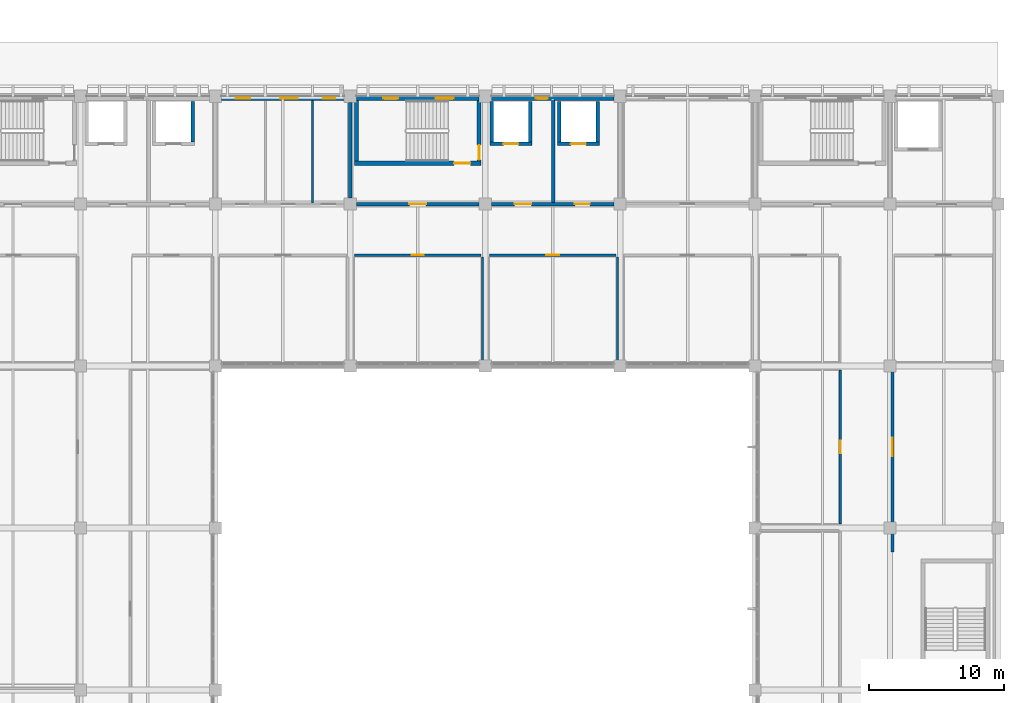
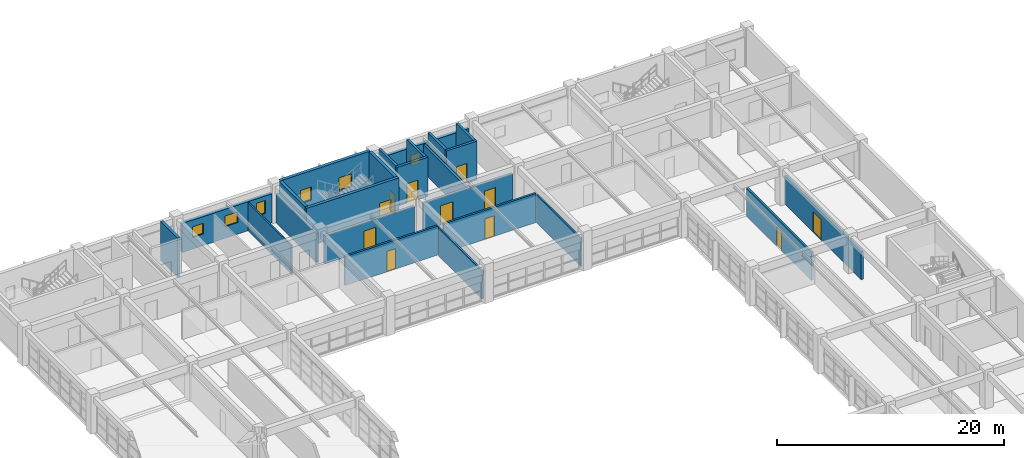
# One storey, part 83 of 100: 24 walls, 11 doors, 6 windows, 17 openings.
"""IFC4 building model written with IfcOpenShell, lengths in metres."""

from ifc_helpers import new_model, si_unit, direction, frame, frame_2d, origin, place, context, subcontext, project, spatial, rectangle, extrude, material, layer, layer_set, type_object, element, fill, save


model = new_model("IFC4")

# Units and contexts
model_context = context("Model", 3, precision=1e-05, world=origin(), true_north=direction((0.0, 1.0)))
body_context = subcontext(model_context, "Body", "Model", "MODEL_VIEW")
ifc_project = project(units=[si_unit("LENGTHUNIT", "METRE"), si_unit("AREAUNIT", "SQUARE_METRE"), si_unit("VOLUMEUNIT", "CUBIC_METRE"), si_unit("PLANEANGLEUNIT", "RADIAN"), si_unit("MASSUNIT", "GRAM", prefix="KILO")], contexts=[model_context])

# Site, building, storey
site_placement = place(None, origin())
site = spatial("IfcSite", under=ifc_project, at=site_placement, CompositionType="ELEMENT")
building_placement = place(site_placement, origin())
building = spatial("IfcBuilding", under=site, at=building_placement, Name="Kivolera Central Railway Station", CompositionType="ELEMENT")
storey_placement = place(building_placement, frame((0.0, 0.0, 5.39990234375)))
storey = spatial("IfcBuildingStorey", under=building, at=storey_placement, Name="L01", CompositionType="ELEMENT", Elevation=5.39990234375)

# Wall, opening, door
ifc_material_1 = material(Name="Concrete C40/50", Category="concrete")
ifc_layer_1 = layer(ifc_material_1, 0.22998046875, Name="Concrete C40/50")
ifc_layer_set_1 = layer_set([ifc_layer_1], Name="Concrete C40/50")
wall_type_1 = type_object("IfcWallType", Name="WL-COMP-230", PredefinedType="PARTITIONING", material=ifc_layer_set_1)
wall_1_placement = place(storey_placement, frame((188.179931640625, 100.199951171875, 0.0), z_axis=(0.0, 0.0, 1.0), x_axis=(0.0, 1.0, 0.0)))
wall_1 = element("IfcWall", 1, at=wall_1_placement, inside=storey, type_object=wall_type_1, Name="L01 Mezzanine Air Handling Plant Room Corridor Wall", PredefinedType="PARTITIONING", context=body_context, shape_type="SweptSolid", body=[
    extrude(rectangle(XDim=13.5, YDim=0.22998046875, at=frame_2d((6.75, 0.0))), origin(), (0.0, 0.0, 1.0), 3.01806640625),
])
opening_1_placement = place(wall_1_placement, frame((7.10009765625, 0.0, 0.0)))
opening_1 = element("IfcOpeningElement", 2, at=opening_1_placement, cuts=wall_1, Name="Opening D-PLT-1400", PredefinedType="OPENING", context=body_context, shape_type="SweptSolid", body=[
    extrude(rectangle(XDim=1.39990234375, YDim=2.199951171875, at=frame_2d((0.699951171875, 1.10009765625))), frame((0.0, 0.125, 0.0), z_axis=(0.0, -1.0, 0.0), x_axis=(1.0, 0.0, 0.0)), (0.0, 0.0, 1.0), 0.25),
])
ifc_material_2 = material(Name="Anodised aluminium", Category="aluminium")
door_type_1 = type_object("IfcDoorType", Name="DR-D-PLT-1400", OperationType="NOTDEFINED", PredefinedType="DOOR", material=ifc_material_2)
door_1_placement = place(opening_1_placement, origin())
door_1 = element("IfcDoor", 3, at=door_1_placement, inside=storey, type_object=door_type_1, Name="L01 Mezzanine Air Handling Plant Room Door", OperationType="SINGLE_SWING_RIGHT", OverallHeight=2.199951171875, OverallWidth=1.39990234375, PredefinedType="DOOR", context=body_context, shape_type="SweptSolid", body=[
    extrude(rectangle(XDim=1.39990234375, YDim=2.199951171875, at=frame_2d((0.699951171875, 1.10009765625))), frame((0.0, 0.02490234375, 0.0), z_axis=(0.0, -1.0, 0.0), x_axis=(1.0, 0.0, 0.0)), (0.0, 0.0, 1.0), 0.050048828125),
])
fill(opening_1, door_1)

ifc_material_3 = material(Name="Swahili coral limestone", Category="masonry")
ifc_layer_2 = layer(ifc_material_3, 0.199951171875, Name="Swahili coral limestone")
ifc_layer_set_2 = layer_set([ifc_layer_2], Name="Swahili coral limestone")
wall_type_2 = type_object("IfcWallType", Name="WL-COR-200", PredefinedType="PARTITIONING", material=ifc_layer_set_2)
wall_2_placement = place(storey_placement, frame((148.300048828125, 122.219970703125, 0.0), z_axis=(0.0, 0.0, 1.0), x_axis=(1.0, 0.0, 0.0)))
wall_2 = element("IfcWall", 4, at=wall_2_placement, inside=storey, type_object=wall_type_2, Name="L01 Commuter Banking Branch Office Corridor Wall", PredefinedType="PARTITIONING", context=body_context, shape_type="SweptSolid", body=[
    extrude(rectangle(XDim=9.39990234375, YDim=0.199951171875, at=frame_2d((4.699951171875, 0.0))), origin(), (0.0, 0.0, 1.0), 3.1181640625),
])
opening_2_placement = place(wall_2_placement, frame((4.25, 0.0, 0.0)))
opening_2 = element("IfcOpeningElement", 5, at=opening_2_placement, cuts=wall_2, Name="Opening D-SG-07", PredefinedType="OPENING", context=body_context, shape_type="SweptSolid", body=[
    extrude(rectangle(XDim=0.89990234375, YDim=2.199951171875, at=frame_2d((0.449951171875, 1.10009765625))), frame((0.0, 0.10986328125, 0.0), z_axis=(0.0, -1.0, 0.0), x_axis=(1.0, 0.0, 0.0)), (0.0, 0.0, 1.0), 0.219970703125),
])
ifc_material_4 = material(Name="Hardwood mvule timber", Category="wood")
door_type_2 = type_object("IfcDoorType", Name="DR-D-SG-07", OperationType="NOTDEFINED", PredefinedType="DOOR", material=ifc_material_4)
door_2_placement = place(opening_2_placement, origin())
door_2 = element("IfcDoor", 6, at=door_2_placement, inside=storey, type_object=door_type_2, Name="L01 Commuter Banking Branch Office Door", OperationType="SINGLE_SWING_RIGHT", OverallHeight=2.199951171875, OverallWidth=0.89990234375, PredefinedType="DOOR", context=body_context, shape_type="SweptSolid", body=[
    extrude(rectangle(XDim=0.89990234375, YDim=2.199951171875, at=frame_2d((0.449951171875, 1.10009765625))), frame((0.0, 0.02490234375, 0.0), z_axis=(0.0, -1.0, 0.0), x_axis=(1.0, 0.0, 0.0)), (0.0, 0.0, 1.0), 0.050048828125),
])
fill(opening_2, door_2)

wall_3_placement = place(storey_placement, frame((158.300048828125, 122.219970703125, 0.0), z_axis=(0.0, 0.0, 1.0), x_axis=(1.0, 0.0, 0.0)))
wall_3 = element("IfcWall", 7, at=wall_3_placement, inside=storey, type_object=wall_type_2, Name="L01 Express Courier Counter Shop Corridor Wall", PredefinedType="PARTITIONING", context=body_context, shape_type="SweptSolid", body=[
    extrude(rectangle(XDim=9.39990234375, YDim=0.199951171875, at=frame_2d((4.699951171875, 0.0))), origin(), (0.0, 0.0, 1.0), 3.1181640625),
])
opening_3_placement = place(wall_3_placement, frame((4.22509765625, 0.0, 0.0)))
opening_3 = element("IfcOpeningElement", 8, at=opening_3_placement, cuts=wall_3, Name="Opening D-SG-08", PredefinedType="OPENING", context=body_context, shape_type="SweptSolid", body=[
    extrude(rectangle(XDim=0.949951171875, YDim=2.199951171875, at=frame_2d((0.47509765625, 1.10009765625))), frame((0.0, 0.10986328125, 0.0), z_axis=(0.0, -1.0, 0.0), x_axis=(1.0, 0.0, 0.0)), (0.0, 0.0, 1.0), 0.219970703125),
])
door_type_3 = type_object("IfcDoorType", Name="DR-D-SG-08", OperationType="NOTDEFINED", PredefinedType="DOOR", material=ifc_material_4)
door_3_placement = place(opening_3_placement, origin())
door_3 = element("IfcDoor", 9, at=door_3_placement, inside=storey, type_object=door_type_3, Name="L01 Express Courier Counter Shop Door", OperationType="SINGLE_SWING_LEFT", OverallHeight=2.199951171875, OverallWidth=0.949951171875, PredefinedType="DOOR", context=body_context, shape_type="SweptSolid", body=[
    extrude(rectangle(XDim=0.949951171875, YDim=2.199951171875, at=frame_2d((0.47509765625, 1.10009765625))), frame((0.0, 0.02490234375, 0.0), z_axis=(0.0, -1.0, 0.0), x_axis=(1.0, 0.0, 0.0)), (0.0, 0.0, 1.0), 0.050048828125),
])
fill(opening_3, door_3)

wall_4_placement = place(storey_placement, frame((184.320068359375, 102.300048828125, 0.0), z_axis=(0.0, 0.0, 1.0), x_axis=(0.0, 1.0, 0.0)))
wall_4 = element("IfcWall", 10, at=wall_4_placement, inside=storey, type_object=wall_type_2, Name="L01 Station Hospitality Studio Corridor Wall", PredefinedType="PARTITIONING", context=body_context, shape_type="SweptSolid", body=[
    extrude(rectangle(XDim=11.39990234375, YDim=0.199951171875, at=frame_2d((5.699951171875, 0.0))), origin(), (0.0, 0.0, 1.0), 3.01806640625),
])
opening_4_placement = place(wall_4_placement, frame((5.25, 0.0, 0.0)))
opening_4 = element("IfcOpeningElement", 11, at=opening_4_placement, cuts=wall_4, Name="Opening D-SG-01", PredefinedType="OPENING", context=body_context, shape_type="SweptSolid", body=[
    extrude(rectangle(XDim=0.89990234375, YDim=2.10009765625, at=frame_2d((0.449951171875, 1.050048828125))), frame((0.0, 0.10986328125, 0.0), z_axis=(0.0, -1.0, 0.0), x_axis=(1.0, 0.0, 0.0)), (0.0, 0.0, 1.0), 0.219970703125),
])
door_type_4 = type_object("IfcDoorType", Name="DR-D-SG-01", OperationType="NOTDEFINED", PredefinedType="DOOR", material=ifc_material_4)
door_4_placement = place(opening_4_placement, origin())
door_4 = element("IfcDoor", 12, at=door_4_placement, inside=storey, type_object=door_type_4, Name="L01 Station Hospitality Studio Door", OperationType="SINGLE_SWING_LEFT", OverallHeight=2.10009765625, OverallWidth=0.89990234375, PredefinedType="DOOR", context=body_context, shape_type="SweptSolid", body=[
    extrude(rectangle(XDim=0.89990234375, YDim=2.10009765625, at=frame_2d((0.449951171875, 1.050048828125))), frame((0.0, 0.02490234375, 0.0), z_axis=(0.0, -1.0, 0.0), x_axis=(1.0, 0.0, 0.0)), (0.0, 0.0, 1.0), 0.050048828125),
])
fill(opening_4, door_4)

ifc_layer_3 = layer(ifc_material_1, 0.300048828125, Name="Concrete C40/50")
ifc_layer_set_3 = layer_set([ifc_layer_3], Name="Concrete C40/50")
wall_type_3 = type_object("IfcWallType", Name="WL-CORE-300", PredefinedType="SHEAR", material=ifc_layer_set_3)
wall_5_placement = place(storey_placement, frame((157.699951171875, 129.030029296875, 0.0), z_axis=(0.0, 0.0, 1.0), x_axis=(-1.0, 0.0, 0.0)))
wall_5 = element("IfcWall", 13, at=wall_5_placement, inside=storey, type_object=wall_type_3, Name="L01 ST2 Core Right Shear Wall", PredefinedType="SHEAR", context=body_context, shape_type="SweptSolid", body=[
    extrude(rectangle(XDim=9.39990234375, YDim=0.300048828125, at=frame_2d((4.699951171875, 0.0))), origin(), (0.0, 0.0, 1.0), 4.2001953125),
])
opening_5_placement = place(wall_5_placement, frame((0.800048828125, 0.0, 0.0)))
opening_5 = element("IfcOpeningElement", 14, at=opening_5_placement, cuts=wall_5, Name="Opening D-STAIR-1200", PredefinedType="OPENING", context=body_context, shape_type="SweptSolid", body=[
    extrude(rectangle(XDim=1.199951171875, YDim=2.14990234375, at=frame_2d((0.60009765625, 1.074951171875))), frame((0.0, 0.159912109375, 0.0), z_axis=(0.0, -1.0, 0.0), x_axis=(1.0, 0.0, 0.0)), (0.0, 0.0, 1.0), 0.320068359375),
])
door_type_5 = type_object("IfcDoorType", Name="DR-D-STAIR-1200", OperationType="NOTDEFINED", PredefinedType="DOOR", material=ifc_material_4)
door_5_placement = place(opening_5_placement, origin())
door_5 = element("IfcDoor", 15, at=door_5_placement, inside=storey, type_object=door_type_5, Name="L01 ST2 Vestibule Fire Door", OperationType="SINGLE_SWING_LEFT", OverallHeight=2.14990234375, OverallWidth=1.199951171875, PredefinedType="DOOR", context=body_context, shape_type="SweptSolid", body=[
    extrude(rectangle(XDim=1.199951171875, YDim=2.14990234375, at=frame_2d((0.60009765625, 1.074951171875))), frame((0.0, 0.02490234375, 0.0), z_axis=(0.0, -1.0, 0.0), x_axis=(1.0, 0.0, 0.0)), (0.0, 0.0, 1.0), 0.050048828125),
])
fill(opening_5, door_5)

wall_6_placement = place(storey_placement, frame((157.550048828125, 133.679931640625, 0.0), z_axis=(0.0, 0.0, 1.0), x_axis=(0.0, -1.0, 0.0)))
wall_6 = element("IfcWall", 16, at=wall_6_placement, inside=storey, type_object=wall_type_3, Name="L01 ST2 Core Near Shear Wall", PredefinedType="SHEAR", context=body_context, shape_type="SweptSolid", body=[
    extrude(rectangle(XDim=4.5, YDim=0.300048828125, at=frame_2d((2.25, 0.0))), origin(), (0.0, 0.0, 1.0), 4.2001953125),
])
opening_6_placement = place(wall_6_placement, frame((3.300048828125, 0.0, 0.0)))
opening_6 = element("IfcOpeningElement", 17, at=opening_6_placement, cuts=wall_6, Name="Opening D-FFL-1100", PredefinedType="OPENING", context=body_context, shape_type="SweptSolid", body=[
    extrude(rectangle(XDim=1.10009765625, YDim=2.14990234375, at=frame_2d((0.550048828125, 1.074951171875))), frame((0.0, 0.159912109375, 0.0), z_axis=(0.0, -1.0, 0.0), x_axis=(1.0, 0.0, 0.0)), (0.0, 0.0, 1.0), 0.320068359375),
])
door_type_6 = type_object("IfcDoorType", Name="DR-D-FFL-1100", OperationType="NOTDEFINED", PredefinedType="DOOR", material=ifc_material_4)
door_6_placement = place(opening_6_placement, origin())
door_6 = element("IfcDoor", 18, at=door_6_placement, inside=storey, type_object=door_type_6, Name="L01 Firefighting Lobby to ST2 Fire Door", OperationType="SINGLE_SWING_RIGHT", OverallHeight=2.14990234375, OverallWidth=1.10009765625, PredefinedType="DOOR", context=body_context, shape_type="SweptSolid", body=[
    extrude(rectangle(XDim=1.10009765625, YDim=2.14990234375, at=frame_2d((0.550048828125, 1.074951171875))), frame((0.0, 0.02490234375, 0.0), z_axis=(0.0, -1.0, 0.0), x_axis=(1.0, 0.0, 0.0)), (0.0, 0.0, 1.0), 0.050048828125),
])
fill(opening_6, door_6)

# Wall
wall_7_placement = place(storey_placement, frame((148.449951171875, 129.179931640625, 0.0), z_axis=(0.0, 0.0, 1.0), x_axis=(0.0, 1.0, 0.0)))
element("IfcWall", 19, at=wall_7_placement, inside=storey, type_object=wall_type_3, Name="L01 ST2 Core Far Shear Wall", PredefinedType="SHEAR", context=body_context, shape_type="SweptSolid", body=[
    extrude(rectangle(XDim=4.5, YDim=0.300048828125, at=frame_2d((2.25, 0.0))), origin(), (0.0, 0.0, 1.0), 4.2001953125),
])

# Wall, openings, windows
ifc_layer_4 = layer(ifc_material_1, 0.320068359375, Name="Concrete C40/50")
ifc_layer_set_4 = layer_set([ifc_layer_4], Name="Concrete C40/50")
wall_type_4 = type_object("IfcWallType", Name="WL-CORE-EXT-320", PredefinedType="SHEAR", material=ifc_layer_set_4)
wall_8_placement = place(storey_placement, frame((148.445068359375, 133.840087890625, 0.0), z_axis=(0.0, 0.0, 1.0), x_axis=(1.0, 0.0, 0.0)))
wall_8 = element("IfcWall", 20, at=wall_8_placement, inside=storey, type_object=wall_type_4, Name="L01 North Street Facade Wall Bay 4", PredefinedType="SHEAR", context=body_context, shape_type="SweptSolid", body=[
    extrude(rectangle(XDim=9.10986328125, YDim=0.320068359375, at=frame_2d((4.554931640625, 0.0))), origin(), (0.0, 0.0, 1.0), 4.2001953125),
])
opening_7_placement = place(wall_8_placement, frame((2.0048828125, 0.0, 1.050048828125)))
opening_7 = element("IfcOpeningElement", 21, at=opening_7_placement, cuts=wall_8, Name="Opening WN-14", PredefinedType="OPENING", context=body_context, shape_type="SweptSolid", body=[
    extrude(rectangle(XDim=1.10009765625, YDim=1.39990234375, at=frame_2d((0.550048828125, 0.699951171875))), frame((0.0, 0.169921875, 0.0), z_axis=(0.0, -1.0, 0.0), x_axis=(1.0, 0.0, 0.0)), (0.0, 0.0, 1.0), 0.340087890625),
])
opening_8_placement = place(wall_8_placement, frame((5.905029296875, 0.0, 1.050048828125)))
opening_8 = element("IfcOpeningElement", 22, at=opening_8_placement, cuts=wall_8, Name="Opening WN-15", PredefinedType="OPENING", context=body_context, shape_type="SweptSolid", body=[
    extrude(rectangle(XDim=1.300048828125, YDim=1.39990234375, at=frame_2d((0.64990234375, 0.699951171875))), frame((0.0, 0.169921875, 0.0), z_axis=(0.0, -1.0, 0.0), x_axis=(1.0, 0.0, 0.0)), (0.0, 0.0, 1.0), 0.340087890625),
])
ifc_material_5 = material(Name="Double low-E laminated glass", Category="glass")
window_type_1 = type_object("IfcWindowType", Name="WIN-WN-14", PartitioningType="SINGLE_PANEL", PredefinedType="WINDOW", material=ifc_material_5)
window_1_placement = place(opening_7_placement, origin())
window_1 = element("IfcWindow", 23, at=window_1_placement, inside=storey, type_object=window_type_1, Name="L01 North Street Window Bay 4.1", OverallHeight=1.39990234375, OverallWidth=1.10009765625, PartitioningType="SINGLE_PANEL", PredefinedType="WINDOW", context=body_context, shape_type="SweptSolid", body=[
    extrude(rectangle(XDim=1.10009765625, YDim=1.39990234375, at=frame_2d((0.550048828125, 0.699951171875))), frame((0.0, 0.030029296875, 0.0), z_axis=(0.0, -1.0, 0.0), x_axis=(1.0, 0.0, 0.0)), (0.0, 0.0, 1.0), 0.06005859375),
])
fill(opening_7, window_1)
window_type_2 = type_object("IfcWindowType", Name="WIN-WN-15", PartitioningType="SINGLE_PANEL", PredefinedType="WINDOW", material=ifc_material_5)
window_2_placement = place(opening_8_placement, origin())
window_2 = element("IfcWindow", 24, at=window_2_placement, inside=storey, type_object=window_type_2, Name="L01 North Street Window Bay 4.2", OverallHeight=1.39990234375, OverallWidth=1.300048828125, PartitioningType="SINGLE_PANEL", PredefinedType="WINDOW", context=body_context, shape_type="SweptSolid", body=[
    extrude(rectangle(XDim=1.300048828125, YDim=1.39990234375, at=frame_2d((0.64990234375, 0.699951171875))), frame((0.0, 0.030029296875, 0.0), z_axis=(0.0, -1.0, 0.0), x_axis=(1.0, 0.0, 0.0)), (0.0, 0.0, 1.0), 0.06005859375),
])
fill(opening_8, window_2)

ifc_layer_5 = layer(ifc_material_3, 0.320068359375, Name="Swahili coral limestone")
ifc_layer_set_5 = layer_set([ifc_layer_5], Name="Swahili coral limestone")
wall_type_5 = type_object("IfcWallType", Name="WL-EXT-CORAL-320", PredefinedType="SOLIDWALL", material=ifc_layer_set_5)
wall_9_placement = place(storey_placement, frame((138.445068359375, 133.840087890625, 0.0), z_axis=(0.0, 0.0, 1.0), x_axis=(1.0, 0.0, 0.0)))
wall_9 = element("IfcWall", 25, at=wall_9_placement, inside=storey, type_object=wall_type_5, Name="L01 North Street Facade Wall Bay 3", PredefinedType="SOLIDWALL", context=body_context, shape_type="SweptSolid", body=[
    extrude(rectangle(XDim=9.10986328125, YDim=0.320068359375, at=frame_2d((4.554931640625, 0.0))), origin(), (0.0, 0.0, 1.0), 3.1181640625),
])
opening_9_placement = place(wall_9_placement, frame((1.054931640625, 0.0, 1.25)))
opening_9 = element("IfcOpeningElement", 26, at=opening_9_placement, cuts=wall_9, Name="Opening WN-02", PredefinedType="OPENING", context=body_context, shape_type="SweptSolid", body=[
    extrude(rectangle(XDim=1.10009765625, YDim=1.14990234375, at=frame_2d((0.550048828125, 0.574951171875))), frame((0.0, 0.169921875, 0.0), z_axis=(0.0, -1.0, 0.0), x_axis=(1.0, 0.0, 0.0)), (0.0, 0.0, 1.0), 0.340087890625),
])
opening_10_placement = place(wall_9_placement, frame((4.35498046875, 0.0, 1.25)))
opening_10 = element("IfcOpeningElement", 27, at=opening_10_placement, cuts=wall_9, Name="Opening WN-03", PredefinedType="OPENING", context=body_context, shape_type="SweptSolid", body=[
    extrude(rectangle(XDim=1.300048828125, YDim=1.14990234375, at=frame_2d((0.64990234375, 0.574951171875))), frame((0.0, 0.169921875, 0.0), z_axis=(0.0, -1.0, 0.0), x_axis=(1.0, 0.0, 0.0)), (0.0, 0.0, 1.0), 0.340087890625),
])
opening_11_placement = place(wall_9_placement, frame((7.554931640625, 0.0, 1.25)))
opening_11 = element("IfcOpeningElement", 28, at=opening_11_placement, cuts=wall_9, Name="Opening WN-13", PredefinedType="OPENING", context=body_context, shape_type="SweptSolid", body=[
    extrude(rectangle(XDim=0.89990234375, YDim=1.39990234375, at=frame_2d((0.449951171875, 0.699951171875))), frame((0.0, 0.169921875, 0.0), z_axis=(0.0, -1.0, 0.0), x_axis=(1.0, 0.0, 0.0)), (0.0, 0.0, 1.0), 0.340087890625),
])
window_type_3 = type_object("IfcWindowType", Name="WIN-WN-02", PartitioningType="SINGLE_PANEL", PredefinedType="WINDOW", material=ifc_material_5)
window_3_placement = place(opening_9_placement, origin())
window_3 = element("IfcWindow", 29, at=window_3_placement, inside=storey, type_object=window_type_3, Name="L01 North Street Window Bay 3.1", OverallHeight=1.14990234375, OverallWidth=1.10009765625, PartitioningType="SINGLE_PANEL", PredefinedType="WINDOW", context=body_context, shape_type="SweptSolid", body=[
    extrude(rectangle(XDim=1.10009765625, YDim=1.14990234375, at=frame_2d((0.550048828125, 0.574951171875))), frame((0.0, 0.030029296875, 0.0), z_axis=(0.0, -1.0, 0.0), x_axis=(1.0, 0.0, 0.0)), (0.0, 0.0, 1.0), 0.06005859375),
])
fill(opening_9, window_3)
window_type_4 = type_object("IfcWindowType", Name="WIN-WN-03", PartitioningType="SINGLE_PANEL", PredefinedType="WINDOW", material=ifc_material_5)
window_4_placement = place(opening_10_placement, origin())
window_4 = element("IfcWindow", 30, at=window_4_placement, inside=storey, type_object=window_type_4, Name="L01 North Street Window Bay 3.2", OverallHeight=1.14990234375, OverallWidth=1.300048828125, PartitioningType="SINGLE_PANEL", PredefinedType="WINDOW", context=body_context, shape_type="SweptSolid", body=[
    extrude(rectangle(XDim=1.300048828125, YDim=1.14990234375, at=frame_2d((0.64990234375, 0.574951171875))), frame((0.0, 0.030029296875, 0.0), z_axis=(0.0, -1.0, 0.0), x_axis=(1.0, 0.0, 0.0)), (0.0, 0.0, 1.0), 0.06005859375),
])
fill(opening_10, window_4)
window_type_5 = type_object("IfcWindowType", Name="WIN-WN-13", PartitioningType="SINGLE_PANEL", PredefinedType="WINDOW", material=ifc_material_5)
window_5_placement = place(opening_11_placement, origin())
window_5 = element("IfcWindow", 31, at=window_5_placement, inside=storey, type_object=window_type_5, Name="L01 North Street Window Bay 3.3", OverallHeight=1.39990234375, OverallWidth=0.89990234375, PartitioningType="SINGLE_PANEL", PredefinedType="WINDOW", context=body_context, shape_type="SweptSolid", body=[
    extrude(rectangle(XDim=0.89990234375, YDim=1.39990234375, at=frame_2d((0.449951171875, 0.699951171875))), frame((0.0, 0.030029296875, 0.0), z_axis=(0.0, -1.0, 0.0), x_axis=(1.0, 0.0, 0.0)), (0.0, 0.0, 1.0), 0.06005859375),
])
fill(opening_11, window_5)

# Wall, opening, window
wall_10_placement = place(storey_placement, frame((158.445068359375, 133.840087890625, 0.0), z_axis=(0.0, 0.0, 1.0), x_axis=(1.0, 0.0, 0.0)))
wall_10 = element("IfcWall", 32, at=wall_10_placement, inside=storey, type_object=wall_type_5, Name="L01 North Street Facade Wall Bay 5", PredefinedType="SOLIDWALL", context=body_context, shape_type="SweptSolid", body=[
    extrude(rectangle(XDim=9.10986328125, YDim=0.320068359375, at=frame_2d((4.554931640625, 0.0))), origin(), (0.0, 0.0, 1.0), 3.1181640625),
])
opening_12_placement = place(wall_10_placement, frame((3.304931640625, 0.0, 1.050048828125)))
opening_12 = element("IfcOpeningElement", 33, at=opening_12_placement, cuts=wall_10, Name="Opening WN-01", PredefinedType="OPENING", context=body_context, shape_type="SweptSolid", body=[
    extrude(rectangle(XDim=0.89990234375, YDim=1.14990234375, at=frame_2d((0.449951171875, 0.574951171875))), frame((0.0, 0.169921875, 0.0), z_axis=(0.0, -1.0, 0.0), x_axis=(1.0, 0.0, 0.0)), (0.0, 0.0, 1.0), 0.340087890625),
])
window_type_6 = type_object("IfcWindowType", Name="WIN-WN-01", PartitioningType="SINGLE_PANEL", PredefinedType="WINDOW", material=ifc_material_5)
window_6_placement = place(opening_12_placement, origin())
window_6 = element("IfcWindow", 34, at=window_6_placement, inside=storey, type_object=window_type_6, Name="L01 North Street Window Bay 5.1", OverallHeight=1.14990234375, OverallWidth=0.89990234375, PartitioningType="SINGLE_PANEL", PredefinedType="WINDOW", context=body_context, shape_type="SweptSolid", body=[
    extrude(rectangle(XDim=0.89990234375, YDim=1.14990234375, at=frame_2d((0.449951171875, 0.574951171875))), frame((0.0, 0.030029296875, 0.0), z_axis=(0.0, -1.0, 0.0), x_axis=(1.0, 0.0, 0.0)), (0.0, 0.0, 1.0), 0.06005859375),
])
fill(opening_12, window_6)

# Wall, opening, door
ifc_layer_6 = layer(ifc_material_1, 0.25, Name="Concrete C40/50")
ifc_layer_set_6 = layer_set([ifc_layer_6], Name="Concrete C40/50")
wall_type_6 = type_object("IfcWallType", Name="WL-FFL-250", PredefinedType="PARTITIONING", material=ifc_layer_set_6)
wall_11_placement = place(storey_placement, frame((148.455078125, 126.0, 0.0), z_axis=(0.0, 0.0, 1.0), x_axis=(1.0, 0.0, 0.0)))
wall_11 = element("IfcWall", 35, at=wall_11_placement, inside=storey, type_object=wall_type_6, Name="L01 North Core Corridor Wall 148", PredefinedType="PARTITIONING", context=body_context, shape_type="SweptSolid", body=[
    extrude(rectangle(XDim=9.08984375, YDim=0.25, at=frame_2d((4.544921875, 0.0))), origin(), (0.0, 0.0, 1.0), 3.01806640625),
])
opening_13_placement = place(wall_11_placement, frame((3.919921875, 0.0, 0.0)))
opening_13 = element("IfcOpeningElement", 36, at=opening_13_placement, cuts=wall_11, Name="Opening D-FFL-1250", PredefinedType="OPENING", context=body_context, shape_type="SweptSolid", body=[
    extrude(rectangle(XDim=1.25, YDim=2.14990234375, at=frame_2d((0.625, 1.074951171875))), frame((0.0, 0.135009765625, 0.0), z_axis=(0.0, -1.0, 0.0), x_axis=(1.0, 0.0, 0.0)), (0.0, 0.0, 1.0), 0.27001953125),
])
door_type_7 = type_object("IfcDoorType", Name="DR-D-FFL-1250", OperationType="NOTDEFINED", PredefinedType="DOOR", material=ifc_material_4)
door_7_placement = place(opening_13_placement, origin())
door_7 = element("IfcDoor", 37, at=door_7_placement, inside=storey, type_object=door_type_7, Name="L01 ST2 Vestibule Corridor Door", OperationType="SINGLE_SWING_LEFT", OverallHeight=2.14990234375, OverallWidth=1.25, PredefinedType="DOOR", context=body_context, shape_type="SweptSolid", body=[
    extrude(rectangle(XDim=1.25, YDim=2.14990234375, at=frame_2d((0.625, 1.074951171875))), frame((0.0, 0.02490234375, 0.0), z_axis=(0.0, -1.0, 0.0), x_axis=(1.0, 0.0, 0.0)), (0.0, 0.0, 1.0), 0.050048828125),
])
fill(opening_13, door_7)

# Wall, openings, doors
wall_12_placement = place(storey_placement, frame((158.455078125, 126.0, 0.0), z_axis=(0.0, 0.0, 1.0), x_axis=(1.0, 0.0, 0.0)))
wall_12 = element("IfcWall", 38, at=wall_12_placement, inside=storey, type_object=wall_type_6, Name="L01 North Core Corridor Wall 158", PredefinedType="PARTITIONING", context=body_context, shape_type="SweptSolid", body=[
    extrude(rectangle(XDim=9.08984375, YDim=0.25, at=frame_2d((4.544921875, 0.0))), origin(), (0.0, 0.0, 1.0), 3.01806640625),
])
opening_14_placement = place(wall_12_placement, frame((1.719970703125, 0.0, 0.0)))
opening_14 = element("IfcOpeningElement", 39, at=opening_14_placement, cuts=wall_12, Name="Opening D-FFL-1250", PredefinedType="OPENING", context=body_context, shape_type="SweptSolid", body=[
    extrude(rectangle(XDim=1.25, YDim=2.14990234375, at=frame_2d((0.625, 1.074951171875))), frame((0.0, 0.135009765625, 0.0), z_axis=(0.0, -1.0, 0.0), x_axis=(1.0, 0.0, 0.0)), (0.0, 0.0, 1.0), 0.27001953125),
])
opening_15_placement = place(wall_12_placement, frame((6.195068359375, 0.0, 0.0)))
opening_15 = element("IfcOpeningElement", 40, at=opening_15_placement, cuts=wall_12, Name="Opening D-FFL-1100", PredefinedType="OPENING", context=body_context, shape_type="SweptSolid", body=[
    extrude(rectangle(XDim=1.10009765625, YDim=2.14990234375, at=frame_2d((0.550048828125, 1.074951171875))), frame((0.0, 0.135009765625, 0.0), z_axis=(0.0, -1.0, 0.0), x_axis=(1.0, 0.0, 0.0)), (0.0, 0.0, 1.0), 0.27001953125),
])
door_8_placement = place(opening_15_placement, origin())
door_8 = element("IfcDoor", 41, at=door_8_placement, inside=storey, type_object=door_type_6, Name="L01 PL2 Lift Lobby Door", OperationType="SINGLE_SWING_LEFT", OverallHeight=2.14990234375, OverallWidth=1.10009765625, PredefinedType="DOOR", context=body_context, shape_type="SweptSolid", body=[
    extrude(rectangle(XDim=1.10009765625, YDim=2.14990234375, at=frame_2d((0.550048828125, 1.074951171875))), frame((0.0, 0.02490234375, 0.0), z_axis=(0.0, -1.0, 0.0), x_axis=(1.0, 0.0, 0.0)), (0.0, 0.0, 1.0), 0.050048828125),
])
fill(opening_15, door_8)
door_9_placement = place(opening_14_placement, origin())
door_9 = element("IfcDoor", 42, at=door_9_placement, inside=storey, type_object=door_type_7, Name="L01 FL2 Firefighting Lobby Corridor Fire Door", OperationType="SINGLE_SWING_RIGHT", OverallHeight=2.14990234375, OverallWidth=1.25, PredefinedType="DOOR", context=body_context, shape_type="SweptSolid", body=[
    extrude(rectangle(XDim=1.25, YDim=2.14990234375, at=frame_2d((0.625, 1.074951171875))), frame((0.0, 0.02490234375, 0.0), z_axis=(0.0, -1.0, 0.0), x_axis=(1.0, 0.0, 0.0)), (0.0, 0.0, 1.0), 0.050048828125),
])
fill(opening_14, door_9)

# Walls
wall_13_placement = place(storey_placement, frame((163.050048828125, 126.125, 0.0), z_axis=(0.0, 0.0, 1.0), x_axis=(0.0, 1.0, 0.0)))
element("IfcWall", 43, at=wall_13_placement, inside=storey, type_object=wall_type_6, Name="L01 North Core Partition FFL2-DIV", PredefinedType="PARTITIONING", context=body_context, shape_type="SweptSolid", body=[
    extrude(rectangle(XDim=7.554931640625, YDim=0.25, at=frame_2d((3.77734375, 0.0))), origin(), (0.0, 0.0, 1.0), 3.01806640625),
])
wall_14_placement = place(storey_placement, frame((148.0, 126.455078125, 0.0), z_axis=(0.0, 0.0, 1.0), x_axis=(0.0, 1.0, 0.0)))
element("IfcWall", 44, at=wall_14_placement, inside=storey, type_object=wall_type_6, Name="L01 North Core Partition GRID-148", PredefinedType="PARTITIONING", context=body_context, shape_type="SweptSolid", body=[
    extrude(rectangle(XDim=7.08984375, YDim=0.25, at=frame_2d((3.544921875, 0.0))), origin(), (0.0, 0.0, 1.0), 3.1181640625),
])
ifc_material_6 = material(Name="Gypsum plasterboard steel-stud partition")
ifc_layer_7 = layer(ifc_material_6, 0.14990234375, Name="Gypsum plasterboard steel-stud partition")
ifc_layer_set_7 = layer_set([ifc_layer_7], Name="Gypsum plasterboard steel-stud partition")
wall_type_7 = type_object("IfcWallType", Name="WL-PRT-150", PredefinedType="PARTITIONING", material=ifc_layer_set_7)
wall_15_placement = place(storey_placement, frame((145.199951171875, 126.074951171875, 0.0), z_axis=(0.0, 0.0, 1.0), x_axis=(0.0, 1.0, 0.0)))
element("IfcWall", 45, at=wall_15_placement, inside=storey, type_object=wall_type_7, Name="L01 North Core Partition WC-DIV2", PredefinedType="PARTITIONING", context=body_context, shape_type="SweptSolid", body=[
    extrude(rectangle(XDim=7.60498046875, YDim=0.14990234375, at=frame_2d((3.802490234375, 0.0))), origin(), (0.0, 0.0, 1.0), 3.01806640625),
])
wall_16_placement = place(storey_placement, frame((167.800048828125, 114.300048828125, 0.0), z_axis=(0.0, 0.0, 1.0), x_axis=(0.0, 1.0, 0.0)))
element("IfcWall", 46, at=wall_16_placement, inside=storey, type_object=wall_type_7, Name="L01 Express Courier Counter Shop Partition Wall", PredefinedType="PARTITIONING", context=body_context, shape_type="SweptSolid", body=[
    extrude(rectangle(XDim=7.800048828125, YDim=0.14990234375, at=frame_2d((3.89990234375, 0.0))), origin(), (0.0, 0.0, 1.0), 3.01806640625),
])
ifc_layer_8 = layer(ifc_material_6, 0.1650390625, Name="Gypsum plasterboard steel-stud partition")
ifc_layer_set_8 = layer_set([ifc_layer_8], Name="Gypsum plasterboard steel-stud partition")
wall_type_8 = type_object("IfcWallType", Name="WL-PRT-165", PredefinedType="PARTITIONING", material=ifc_layer_set_8)
wall_17_placement = place(storey_placement, frame((157.800048828125, 114.300048828125, 0.0), z_axis=(0.0, 0.0, 1.0), x_axis=(0.0, 1.0, 0.0)))
element("IfcWall", 47, at=wall_17_placement, inside=storey, type_object=wall_type_8, Name="L01 Commuter Banking Branch Office Partition Wall", PredefinedType="PARTITIONING", context=body_context, shape_type="SweptSolid", body=[
    extrude(rectangle(XDim=7.800048828125, YDim=0.1650390625, at=frame_2d((3.89990234375, 0.0))), origin(), (0.0, 0.0, 1.0), 3.01806640625),
])

# Wall, opening, door
ifc_layer_9 = layer(ifc_material_1, 0.260009765625, Name="Concrete C40/50")
ifc_layer_set_9 = layer_set([ifc_layer_9], Name="Concrete C40/50")
wall_type_9 = type_object("IfcWallType", Name="WL-SHAFT-260", PredefinedType="SHEAR", material=ifc_layer_set_9)
wall_18_placement = place(storey_placement, frame((158.340087890625, 130.469970703125, 0.0), z_axis=(0.0, 0.0, 1.0), x_axis=(1.0, 0.0, 0.0)))
wall_18 = element("IfcWall", 48, at=wall_18_placement, inside=storey, type_object=wall_type_9, Name="L01 Lift FL2 Front Shaft Wall", PredefinedType="SHEAR", context=body_context, shape_type="SweptSolid", body=[
    extrude(rectangle(XDim=3.119873046875, YDim=0.260009765625, at=frame_2d((1.56005859375, 0.0))), origin(), (0.0, 0.0, 1.0), 4.2001953125),
])
opening_16_placement = place(wall_18_placement, frame((1.010009765625, 0.0, 0.0)))
opening_16 = element("IfcOpeningElement", 49, at=opening_16_placement, cuts=wall_18, Name="Opening LD-FFL-1100", PredefinedType="OPENING", context=body_context, shape_type="SweptSolid", body=[
    extrude(rectangle(XDim=1.10009765625, YDim=2.10009765625, at=frame_2d((0.550048828125, 1.050048828125))), frame((0.0, 0.139892578125, 0.0), z_axis=(0.0, -1.0, 0.0), x_axis=(1.0, 0.0, 0.0)), (0.0, 0.0, 1.0), 0.280029296875),
])
door_type_8 = type_object("IfcDoorType", Name="DR-LD-FFL-1100", OperationType="NOTDEFINED", PredefinedType="DOOR", material=ifc_material_2)
door_10_placement = place(opening_16_placement, origin())
door_10 = element("IfcDoor", 50, at=door_10_placement, inside=storey, type_object=door_type_8, Name="L01 Lift FL2 Sliding Landing Door", OperationType="SLIDING_TO_LEFT", OverallHeight=2.10009765625, OverallWidth=1.10009765625, PredefinedType="DOOR", context=body_context, shape_type="SweptSolid", body=[
    extrude(rectangle(XDim=1.10009765625, YDim=2.10009765625, at=frame_2d((0.550048828125, 1.050048828125))), frame((0.0, 0.02490234375, 0.0), z_axis=(0.0, -1.0, 0.0), x_axis=(1.0, 0.0, 0.0)), (0.0, 0.0, 1.0), 0.050048828125),
])
fill(opening_16, door_10)

# Walls
for number, where, z_axis, x_axis, name in (
    (51, (158.469970703125, 130.60009765625, 0.0), (0.0, 0.0, 1.0), (0.0, 1.0, 0.0), "L01 Lift FL2 West Shaft Wall"),
    (52, (161.330078125, 130.60009765625, 0.0), (0.0, 0.0, 1.0), (0.0, 1.0, 0.0), "L01 Lift FL2 East Shaft Wall"),
    (53, (136.330078125, 130.60009765625, 0.0), (0.0, 0.0, 1.0), (0.0, 1.0, 0.0), "L01 Lift PL1 East Shaft Wall"),
):
    element("IfcWall", number, at=place(storey_placement, frame(where, z_axis=z_axis, x_axis=x_axis)), inside=storey, type_object=wall_type_9, Name=name, PredefinedType="SHEAR", context=body_context, shape_type="SweptSolid", body=[
        extrude(rectangle(XDim=3.0, YDim=0.260009765625, at=frame_2d((1.5, 0.0))), origin(), (0.0, 0.0, 1.0), 4.2001953125),
    ])

# Wall, opening, door
wall_19_placement = place(storey_placement, frame((163.340087890625, 130.469970703125, 0.0), z_axis=(0.0, 0.0, 1.0), x_axis=(1.0, 0.0, 0.0)))
wall_19 = element("IfcWall", 54, at=wall_19_placement, inside=storey, type_object=wall_type_9, Name="L01 Lift PL2 Front Shaft Wall", PredefinedType="SHEAR", context=body_context, shape_type="SweptSolid", body=[
    extrude(rectangle(XDim=3.119873046875, YDim=0.260009765625, at=frame_2d((1.56005859375, 0.0))), origin(), (0.0, 0.0, 1.0), 4.2001953125),
])
opening_17_placement = place(wall_19_placement, frame((1.010009765625, 0.0, 0.0)))
opening_17 = element("IfcOpeningElement", 55, at=opening_17_placement, cuts=wall_19, Name="Opening LD-PAX-1100", PredefinedType="OPENING", context=body_context, shape_type="SweptSolid", body=[
    extrude(rectangle(XDim=1.10009765625, YDim=2.14990234375, at=frame_2d((0.550048828125, 1.074951171875))), frame((0.0, 0.139892578125, 0.0), z_axis=(0.0, -1.0, 0.0), x_axis=(1.0, 0.0, 0.0)), (0.0, 0.0, 1.0), 0.280029296875),
])
door_type_9 = type_object("IfcDoorType", Name="DR-LD-PAX-1100", OperationType="NOTDEFINED", PredefinedType="DOOR", material=ifc_material_2)
door_11_placement = place(opening_17_placement, origin())
door_11 = element("IfcDoor", 56, at=door_11_placement, inside=storey, type_object=door_type_9, Name="L01 Lift PL2 Sliding Landing Door", OperationType="SLIDING_TO_LEFT", OverallHeight=2.14990234375, OverallWidth=1.10009765625, PredefinedType="DOOR", context=body_context, shape_type="SweptSolid", body=[
    extrude(rectangle(XDim=1.10009765625, YDim=2.14990234375, at=frame_2d((0.550048828125, 1.074951171875))), frame((0.0, 0.02490234375, 0.0), z_axis=(0.0, -1.0, 0.0), x_axis=(1.0, 0.0, 0.0)), (0.0, 0.0, 1.0), 0.050048828125),
])
fill(opening_17, door_11)

# Walls
for number, where, z_axis, x_axis, name in (
    (57, (163.469970703125, 130.60009765625, 0.0), (0.0, 0.0, 1.0), (0.0, 1.0, 0.0), "L01 Lift PL2 West Shaft Wall"),
    (58, (166.330078125, 130.60009765625, 0.0), (0.0, 0.0, 1.0), (0.0, 1.0, 0.0), "L01 Lift PL2 East Shaft Wall"),
):
    element("IfcWall", number, at=place(storey_placement, frame(where, z_axis=z_axis, x_axis=x_axis)), inside=storey, type_object=wall_type_9, Name=name, PredefinedType="SHEAR", context=body_context, shape_type="SweptSolid", body=[
        extrude(rectangle(XDim=3.0, YDim=0.260009765625, at=frame_2d((1.5, 0.0))), origin(), (0.0, 0.0, 1.0), 4.2001953125),
    ])

save(model, "model.ifc")
